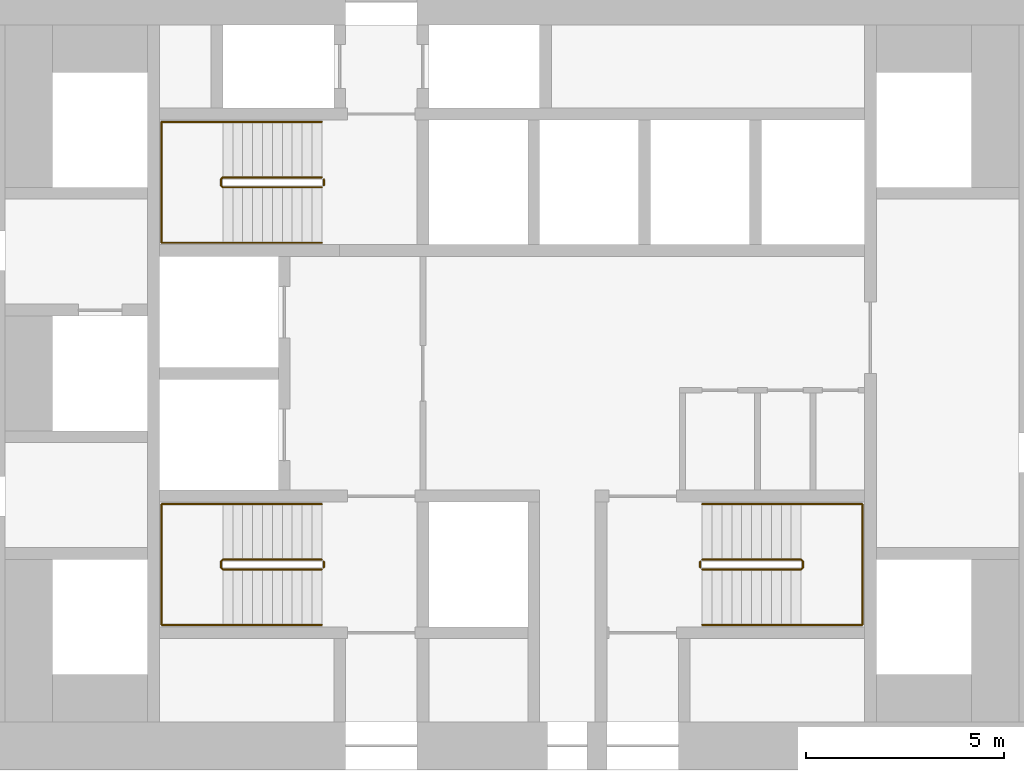
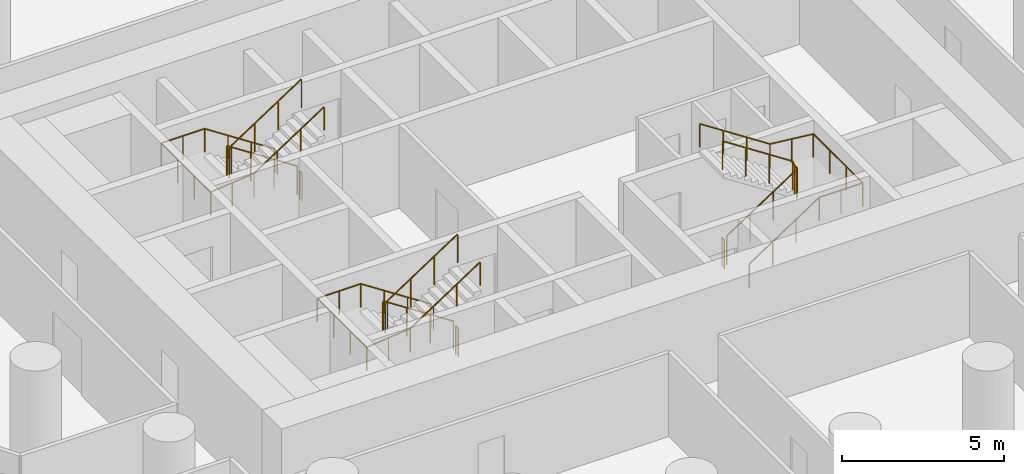
# One storey, part 12 of 12: 9 railings.
"""IFC4 building model written with IfcOpenShell, lengths in metres."""

from ifc_helpers import new_model, si_unit, direction, frame, origin, origin_2d, place, context, subcontext, project, spatial, circle, extrude, material, type_object, element, save


model = new_model("IFC4")

# Units and contexts
model_context = context("Model", 3, precision=1e-05, world=origin(), true_north=direction((0.0, 1.0)))
body_context = subcontext(model_context, "Body", "Model", "MODEL_VIEW")
ifc_project = project(units=[si_unit("LENGTHUNIT", "METRE"), si_unit("AREAUNIT", "SQUARE_METRE"), si_unit("VOLUMEUNIT", "CUBIC_METRE"), si_unit("PLANEANGLEUNIT", "RADIAN"), si_unit("MASSUNIT", "GRAM", prefix="KILO")], contexts=[model_context])

# Site, building, storey
site_placement = place(None, origin())
site = spatial("IfcSite", under=ifc_project, at=site_placement, CompositionType="ELEMENT")
building_placement = place(site_placement, origin())
building = spatial("IfcBuilding", under=site, at=building_placement, Name="Tracery Tower", CompositionType="ELEMENT")
storey_placement = place(building_placement, frame((0.0, 0.0, 57.0)))
storey = spatial("IfcBuildingStorey", under=building, at=storey_placement, Name="L13", CompositionType="ELEMENT", Elevation=57.0)

# Railings
ifc_material_1 = material(Name="Stainless steel and laminated glass", Category="steel")
railing_type_1 = type_object("IfcRailingType", Name="Stair guard 1100", PredefinedType="GUARDRAIL", material=ifc_material_1)
railing_1_placement = place(storey_placement, frame((-4.800048828125, -4.699951171875, 0.16357421875)))
element("IfcRailing", 1, at=railing_1_placement, inside=storey, type_object=railing_type_1, Name="L13 stair ST1 guard 1", PredefinedType="GUARDRAIL", context=body_context, shape_type="SweptSolid", body=[
    extrude(circle(Radius=0.02392578125, at=origin_2d()), frame((0.0, 0.0, 1.076171875), z_axis=(-0.83668449804, 0.0, 0.54768517484), x_axis=(0.0, -1.0, 0.0)), (0.0, 0.0, 1.0), 2.988037109375),
    extrude(circle(Radius=0.02392578125, at=origin_2d()), frame((-2.5, 0.0, 2.71240234375), z_axis=(-0.707106781187, -0.707106781187, 0.0), x_axis=(0.707106781187, -0.707106781187, 0.0)), (0.0, 0.0, 1.0), 0.07080078125),
    extrude(circle(Radius=0.02392578125, at=origin_2d()), frame((-2.550048828125, -0.050048828125, 2.71240234375), z_axis=(0.0, -1.0, 0.0), x_axis=(1.0, 0.0, 0.0)), (0.0, 0.0, 1.0), 0.14990234375),
    extrude(circle(Radius=0.02392578125, at=origin_2d()), frame((-2.550048828125, -0.199951171875, 2.71240234375), z_axis=(0.280808744504, -0.280808744504, 0.917765164963), x_axis=(0.707106781187, 0.707106781187, 0.0)), (0.0, 0.0, 1.0), 0.17822265625),
    extrude(circle(Radius=0.02392578125, at=origin_2d()), frame((-2.5, -0.25, 2.8759765625), z_axis=(0.83668449804, 0.0, 0.54768517484), x_axis=(0.0, 1.0, 0.0)), (0.0, 0.0, 1.0), 2.988037109375),
    extrude(circle(Radius=0.02099609375, at=origin_2d()), origin(), (0.0, 0.0, 1.0), 1.052001953125),
    extrude(circle(Radius=0.02099609375, at=origin_2d()), frame((-0.833251953125, 0.0, 0.54541015625)), (0.0, 0.0, 1.0), 1.052001953125),
    extrude(circle(Radius=0.02099609375, at=origin_2d()), frame((-1.666748046875, 0.0, 1.091064453125)), (0.0, 0.0, 1.0), 1.052001953125),
    extrude(circle(Radius=0.02099609375, at=origin_2d()), frame((-2.5, 0.0, 1.636474609375)), (0.0, 0.0, 1.0), 1.052001953125),
    extrude(circle(Radius=0.02099609375, at=origin_2d()), frame((-2.550048828125, -0.050048828125, 1.636474609375)), (0.0, 0.0, 1.0), 1.052001953125),
    extrude(circle(Radius=0.02099609375, at=origin_2d()), frame((-2.550048828125, -0.199951171875, 1.636474609375)), (0.0, 0.0, 1.0), 1.052001953125),
    extrude(circle(Radius=0.02099609375, at=origin_2d()), frame((-2.5, -0.25, 1.800048828125)), (0.0, 0.0, 1.0), 1.052001953125),
    extrude(circle(Radius=0.02099609375, at=origin_2d()), frame((-1.666748046875, -0.25, 2.345458984375)), (0.0, 0.0, 1.0), 1.052001953125),
    extrude(circle(Radius=0.02099609375, at=origin_2d()), frame((-0.833251953125, -0.25, 2.89111328125)), (0.0, 0.0, 1.0), 1.052001953125),
    extrude(circle(Radius=0.02099609375, at=origin_2d()), frame((0.0, -0.25, 3.4365234375)), (0.0, 0.0, 1.0), 1.052001953125),
])
railing_2_placement = place(storey_placement, frame((-4.75, -4.75, 0.0)))
element("IfcRailing", 2, at=railing_2_placement, inside=storey, type_object=railing_type_1, Name="L13 stair ST1 guard 2", PredefinedType="GUARDRAIL", context=body_context, shape_type="SweptSolid", body=[
    extrude(circle(Radius=0.02392578125, at=origin_2d()), frame((0.0, 0.0, 1.076171875), z_axis=(0.0, -1.0, 0.0), x_axis=(1.0, 0.0, 0.0)), (0.0, 0.0, 1.0), 0.14990234375),
    extrude(circle(Radius=0.02099609375, at=origin_2d()), origin(), (0.0, 0.0, 1.0), 1.052001953125),
    extrude(circle(Radius=0.02099609375, at=origin_2d()), frame((0.0, -0.14990234375, 0.0)), (0.0, 0.0, 1.0), 1.052001953125),
])
railing_3_placement = place(storey_placement, frame((-4.800048828125, 4.949951171875, 0.16357421875)))
element("IfcRailing", 3, at=railing_3_placement, inside=storey, type_object=railing_type_1, Name="L13 stair ST3 guard 1", PredefinedType="GUARDRAIL", context=body_context, shape_type="SweptSolid", body=[
    extrude(circle(Radius=0.02392578125, at=origin_2d()), frame((0.0, 0.0, 1.076171875), z_axis=(-0.83668449804, 0.0, 0.54768517484), x_axis=(0.0, -1.0, 0.0)), (0.0, 0.0, 1.0), 2.988037109375),
    extrude(circle(Radius=0.02392578125, at=origin_2d()), frame((-2.5, 0.0, 2.71240234375), z_axis=(-0.707106781187, -0.707106781187, 0.0), x_axis=(0.707106781187, -0.707106781187, 0.0)), (0.0, 0.0, 1.0), 0.07080078125),
    extrude(circle(Radius=0.02392578125, at=origin_2d()), frame((-2.550048828125, -0.050048828125, 2.71240234375), z_axis=(0.0, -1.0, 0.0), x_axis=(1.0, 0.0, 0.0)), (0.0, 0.0, 1.0), 0.14990234375),
    extrude(circle(Radius=0.02392578125, at=origin_2d()), frame((-2.550048828125, -0.199951171875, 2.71240234375), z_axis=(0.280808744504, -0.280808744504, 0.917765164963), x_axis=(0.707106781187, 0.707106781187, 0.0)), (0.0, 0.0, 1.0), 0.17822265625),
    extrude(circle(Radius=0.02392578125, at=origin_2d()), frame((-2.5, -0.25, 2.8759765625), z_axis=(0.83668449804, 0.0, 0.54768517484), x_axis=(0.0, 1.0, 0.0)), (0.0, 0.0, 1.0), 2.988037109375),
    extrude(circle(Radius=0.02099609375, at=origin_2d()), origin(), (0.0, 0.0, 1.0), 1.052001953125),
    extrude(circle(Radius=0.02099609375, at=origin_2d()), frame((-0.833251953125, 0.0, 0.54541015625)), (0.0, 0.0, 1.0), 1.052001953125),
    extrude(circle(Radius=0.02099609375, at=origin_2d()), frame((-1.666748046875, 0.0, 1.091064453125)), (0.0, 0.0, 1.0), 1.052001953125),
    extrude(circle(Radius=0.02099609375, at=origin_2d()), frame((-2.5, 0.0, 1.636474609375)), (0.0, 0.0, 1.0), 1.052001953125),
    extrude(circle(Radius=0.02099609375, at=origin_2d()), frame((-2.550048828125, -0.050048828125, 1.636474609375)), (0.0, 0.0, 1.0), 1.052001953125),
    extrude(circle(Radius=0.02099609375, at=origin_2d()), frame((-2.550048828125, -0.199951171875, 1.636474609375)), (0.0, 0.0, 1.0), 1.052001953125),
    extrude(circle(Radius=0.02099609375, at=origin_2d()), frame((-2.5, -0.25, 1.800048828125)), (0.0, 0.0, 1.0), 1.052001953125),
    extrude(circle(Radius=0.02099609375, at=origin_2d()), frame((-1.666748046875, -0.25, 2.345458984375)), (0.0, 0.0, 1.0), 1.052001953125),
    extrude(circle(Radius=0.02099609375, at=origin_2d()), frame((-0.833251953125, -0.25, 2.89111328125)), (0.0, 0.0, 1.0), 1.052001953125),
    extrude(circle(Radius=0.02099609375, at=origin_2d()), frame((0.0, -0.25, 3.4365234375)), (0.0, 0.0, 1.0), 1.052001953125),
])
railing_4_placement = place(storey_placement, frame((-4.75, 4.89990234375, 0.0)))
element("IfcRailing", 4, at=railing_4_placement, inside=storey, type_object=railing_type_1, Name="L13 stair ST3 guard 2", PredefinedType="GUARDRAIL", context=body_context, shape_type="SweptSolid", body=[
    extrude(circle(Radius=0.02392578125, at=origin_2d()), frame((0.0, 0.0, 1.076171875), z_axis=(0.0, -1.0, 0.0), x_axis=(1.0, 0.0, 0.0)), (0.0, 0.0, 1.0), 0.14990234375),
    extrude(circle(Radius=0.02099609375, at=origin_2d()), origin(), (0.0, 0.0, 1.0), 1.052001953125),
    extrude(circle(Radius=0.02099609375, at=origin_2d()), frame((0.0, -0.14990234375, 0.0)), (0.0, 0.0, 1.0), 1.052001953125),
])
railing_5_placement = place(storey_placement, frame((4.800048828125, -4.949951171875, 0.16357421875)))
element("IfcRailing", 5, at=railing_5_placement, inside=storey, type_object=railing_type_1, Name="L13 stair ST2 guard 1", PredefinedType="GUARDRAIL", context=body_context, shape_type="SweptSolid", body=[
    extrude(circle(Radius=0.02392578125, at=origin_2d()), frame((0.0, 0.0, 1.076171875), z_axis=(0.83668449804, 0.0, 0.54768517484), x_axis=(0.0, 1.0, 0.0)), (0.0, 0.0, 1.0), 2.988037109375),
    extrude(circle(Radius=0.02392578125, at=origin_2d()), frame((2.5, 0.0, 2.71240234375), z_axis=(0.707106781187, 0.707106781187, 0.0), x_axis=(-0.707106781187, 0.707106781187, 0.0)), (0.0, 0.0, 1.0), 0.07080078125),
    extrude(circle(Radius=0.02392578125, at=origin_2d()), frame((2.550048828125, 0.050048828125, 2.71240234375), z_axis=(0.0, 1.0, 0.0), x_axis=(-1.0, 0.0, 0.0)), (0.0, 0.0, 1.0), 0.14990234375),
    extrude(circle(Radius=0.02392578125, at=origin_2d()), frame((2.550048828125, 0.199951171875, 2.71240234375), z_axis=(-0.280808744504, 0.280808744504, 0.917765164963), x_axis=(-0.707106781187, -0.707106781187, 0.0)), (0.0, 0.0, 1.0), 0.17822265625),
    extrude(circle(Radius=0.02392578125, at=origin_2d()), frame((2.5, 0.25, 2.8759765625), z_axis=(-0.83668449804, 0.0, 0.54768517484), x_axis=(0.0, -1.0, 0.0)), (0.0, 0.0, 1.0), 2.988037109375),
    extrude(circle(Radius=0.02099609375, at=origin_2d()), origin(), (0.0, 0.0, 1.0), 1.052001953125),
    extrude(circle(Radius=0.02099609375, at=origin_2d()), frame((0.833251953125, 0.0, 0.54541015625)), (0.0, 0.0, 1.0), 1.052001953125),
    extrude(circle(Radius=0.02099609375, at=origin_2d()), frame((1.666748046875, 0.0, 1.091064453125)), (0.0, 0.0, 1.0), 1.052001953125),
    extrude(circle(Radius=0.02099609375, at=origin_2d()), frame((2.5, 0.0, 1.636474609375)), (0.0, 0.0, 1.0), 1.052001953125),
    extrude(circle(Radius=0.02099609375, at=origin_2d()), frame((2.550048828125, 0.050048828125, 1.636474609375)), (0.0, 0.0, 1.0), 1.052001953125),
    extrude(circle(Radius=0.02099609375, at=origin_2d()), frame((2.550048828125, 0.199951171875, 1.636474609375)), (0.0, 0.0, 1.0), 1.052001953125),
    extrude(circle(Radius=0.02099609375, at=origin_2d()), frame((2.5, 0.25, 1.800048828125)), (0.0, 0.0, 1.0), 1.052001953125),
    extrude(circle(Radius=0.02099609375, at=origin_2d()), frame((1.666748046875, 0.25, 2.345458984375)), (0.0, 0.0, 1.0), 1.052001953125),
    extrude(circle(Radius=0.02099609375, at=origin_2d()), frame((0.833251953125, 0.25, 2.89111328125)), (0.0, 0.0, 1.0), 1.052001953125),
    extrude(circle(Radius=0.02099609375, at=origin_2d()), frame((0.0, 0.25, 3.4365234375)), (0.0, 0.0, 1.0), 1.052001953125),
])
railing_6_placement = place(storey_placement, frame((4.75, -4.89990234375, 0.0)))
element("IfcRailing", 6, at=railing_6_placement, inside=storey, type_object=railing_type_1, Name="L13 stair ST2 guard 2", PredefinedType="GUARDRAIL", context=body_context, shape_type="SweptSolid", body=[
    extrude(circle(Radius=0.02392578125, at=origin_2d()), frame((0.0, 0.0, 1.076171875), z_axis=(0.0, 1.0, 0.0), x_axis=(-1.0, 0.0, 0.0)), (0.0, 0.0, 1.0), 0.14990234375),
    extrude(circle(Radius=0.02099609375, at=origin_2d()), origin(), (0.0, 0.0, 1.0), 1.052001953125),
    extrude(circle(Radius=0.02099609375, at=origin_2d()), frame((0.0, 0.14990234375, 0.0)), (0.0, 0.0, 1.0), 1.052001953125),
])
ifc_material_2 = material(Name="Stainless steel and laminated glass", Category="steel")
railing_type_2 = type_object("IfcRailingType", Name="Stair handrail 900", PredefinedType="HANDRAIL", material=ifc_material_2)
railing_7_placement = place(storey_placement, frame((-4.800048828125, -3.300048828125, 0.16357421875)))
element("IfcRailing", 7, at=railing_7_placement, inside=storey, type_object=railing_type_2, Name="L13 stair ST1 handrail 1", PredefinedType="HANDRAIL", context=body_context, shape_type="SweptSolid", body=[
    extrude(circle(Radius=0.02392578125, at=origin_2d()), frame((0.0, 0.0, 0.8759765625), z_axis=(-0.83668449804, 0.0, 0.54768517484), x_axis=(0.0, -1.0, 0.0)), (0.0, 0.0, 1.0), 2.988037109375),
    extrude(circle(Radius=0.02392578125, at=origin_2d()), frame((-2.5, 0.0, 2.51220703125), z_axis=(-1.0, 0.0, 0.0), x_axis=(0.0, -1.0, 0.0)), (0.0, 0.0, 1.0), 1.550048828125),
    extrude(circle(Radius=0.02392578125, at=origin_2d()), frame((-4.050048828125, 0.0, 2.51220703125), z_axis=(0.0, -1.0, 0.0), x_axis=(1.0, 0.0, 0.0)), (0.0, 0.0, 1.0), 3.050048828125),
    extrude(circle(Radius=0.02392578125, at=origin_2d()), frame((-4.050048828125, -3.050048828125, 2.51220703125), z_axis=(0.994477953863, 0.0, 0.104945696817), x_axis=(0.0, 1.0, 0.0)), (0.0, 0.0, 1.0), 1.55859375),
    extrude(circle(Radius=0.02392578125, at=origin_2d()), frame((-2.5, -3.050048828125, 2.67578125), z_axis=(0.83668449804, 0.0, 0.54768517484), x_axis=(0.0, 1.0, 0.0)), (0.0, 0.0, 1.0), 2.988037109375),
    extrude(circle(Radius=0.02099609375, at=origin_2d()), origin(), (0.0, 0.0, 1.0), 0.851806640625),
    extrude(circle(Radius=0.02099609375, at=origin_2d()), frame((-0.833251953125, 0.0, 0.54541015625)), (0.0, 0.0, 1.0), 0.851806640625),
    extrude(circle(Radius=0.02099609375, at=origin_2d()), frame((-1.666748046875, 0.0, 1.091064453125)), (0.0, 0.0, 1.0), 0.851806640625),
    extrude(circle(Radius=0.02099609375, at=origin_2d()), frame((-2.5, 0.0, 1.636474609375)), (0.0, 0.0, 1.0), 0.851806640625),
    extrude(circle(Radius=0.02099609375, at=origin_2d()), frame((-3.27490234375, 0.0, 1.636474609375)), (0.0, 0.0, 1.0), 0.851806640625),
    extrude(circle(Radius=0.02099609375, at=origin_2d()), frame((-4.050048828125, 0.0, 1.636474609375)), (0.0, 0.0, 1.0), 0.851806640625),
    extrude(circle(Radius=0.02099609375, at=origin_2d()), frame((-4.050048828125, -1.0166015625, 1.636474609375)), (0.0, 0.0, 1.0), 0.851806640625),
    extrude(circle(Radius=0.02099609375, at=origin_2d()), frame((-4.050048828125, -2.033447265625, 1.636474609375)), (0.0, 0.0, 1.0), 0.851806640625),
    extrude(circle(Radius=0.02099609375, at=origin_2d()), frame((-4.050048828125, -3.050048828125, 1.636474609375)), (0.0, 0.0, 1.0), 0.851806640625),
    extrude(circle(Radius=0.02099609375, at=origin_2d()), frame((-3.27490234375, -3.050048828125, 1.71826171875)), (0.0, 0.0, 1.0), 0.851806640625),
    extrude(circle(Radius=0.02099609375, at=origin_2d()), frame((-2.5, -3.050048828125, 1.800048828125)), (0.0, 0.0, 1.0), 0.851806640625),
    extrude(circle(Radius=0.02099609375, at=origin_2d()), frame((-1.666748046875, -3.050048828125, 2.345458984375)), (0.0, 0.0, 1.0), 0.851806640625),
    extrude(circle(Radius=0.02099609375, at=origin_2d()), frame((-0.833251953125, -3.050048828125, 2.89111328125)), (0.0, 0.0, 1.0), 0.851806640625),
    extrude(circle(Radius=0.02099609375, at=origin_2d()), frame((0.0, -3.050048828125, 3.4365234375)), (0.0, 0.0, 1.0), 0.851806640625),
])
railing_8_placement = place(storey_placement, frame((-4.800048828125, 6.35009765625, 0.16357421875)))
element("IfcRailing", 8, at=railing_8_placement, inside=storey, type_object=railing_type_2, Name="L13 stair ST3 handrail 1", PredefinedType="HANDRAIL", context=body_context, shape_type="SweptSolid", body=[
    extrude(circle(Radius=0.02392578125, at=origin_2d()), frame((0.0, 0.0, 0.8759765625), z_axis=(-0.83668449804, 0.0, 0.54768517484), x_axis=(0.0, -1.0, 0.0)), (0.0, 0.0, 1.0), 2.988037109375),
    extrude(circle(Radius=0.02392578125, at=origin_2d()), frame((-2.5, 0.0, 2.51220703125), z_axis=(-1.0, 0.0, 0.0), x_axis=(0.0, -1.0, 0.0)), (0.0, 0.0, 1.0), 1.550048828125),
    extrude(circle(Radius=0.02392578125, at=origin_2d()), frame((-4.050048828125, 0.0, 2.51220703125), z_axis=(0.0, -1.0, 0.0), x_axis=(1.0, 0.0, 0.0)), (0.0, 0.0, 1.0), 3.050048828125),
    extrude(circle(Radius=0.02392578125, at=origin_2d()), frame((-4.050048828125, -3.050048828125, 2.51220703125), z_axis=(0.994477953863, 0.0, 0.104945696817), x_axis=(0.0, 1.0, 0.0)), (0.0, 0.0, 1.0), 1.55859375),
    extrude(circle(Radius=0.02392578125, at=origin_2d()), frame((-2.5, -3.050048828125, 2.67578125), z_axis=(0.83668449804, 0.0, 0.54768517484), x_axis=(0.0, 1.0, 0.0)), (0.0, 0.0, 1.0), 2.988037109375),
    extrude(circle(Radius=0.02099609375, at=origin_2d()), origin(), (0.0, 0.0, 1.0), 0.851806640625),
    extrude(circle(Radius=0.02099609375, at=origin_2d()), frame((-0.833251953125, 0.0, 0.54541015625)), (0.0, 0.0, 1.0), 0.851806640625),
    extrude(circle(Radius=0.02099609375, at=origin_2d()), frame((-1.666748046875, 0.0, 1.091064453125)), (0.0, 0.0, 1.0), 0.851806640625),
    extrude(circle(Radius=0.02099609375, at=origin_2d()), frame((-2.5, 0.0, 1.636474609375)), (0.0, 0.0, 1.0), 0.851806640625),
    extrude(circle(Radius=0.02099609375, at=origin_2d()), frame((-3.27490234375, 0.0, 1.636474609375)), (0.0, 0.0, 1.0), 0.851806640625),
    extrude(circle(Radius=0.02099609375, at=origin_2d()), frame((-4.050048828125, 0.0, 1.636474609375)), (0.0, 0.0, 1.0), 0.851806640625),
    extrude(circle(Radius=0.02099609375, at=origin_2d()), frame((-4.050048828125, -1.0166015625, 1.636474609375)), (0.0, 0.0, 1.0), 0.851806640625),
    extrude(circle(Radius=0.02099609375, at=origin_2d()), frame((-4.050048828125, -2.033447265625, 1.636474609375)), (0.0, 0.0, 1.0), 0.851806640625),
    extrude(circle(Radius=0.02099609375, at=origin_2d()), frame((-4.050048828125, -3.050048828125, 1.636474609375)), (0.0, 0.0, 1.0), 0.851806640625),
    extrude(circle(Radius=0.02099609375, at=origin_2d()), frame((-3.27490234375, -3.050048828125, 1.71826171875)), (0.0, 0.0, 1.0), 0.851806640625),
    extrude(circle(Radius=0.02099609375, at=origin_2d()), frame((-2.5, -3.050048828125, 1.800048828125)), (0.0, 0.0, 1.0), 0.851806640625),
    extrude(circle(Radius=0.02099609375, at=origin_2d()), frame((-1.666748046875, -3.050048828125, 2.345458984375)), (0.0, 0.0, 1.0), 0.851806640625),
    extrude(circle(Radius=0.02099609375, at=origin_2d()), frame((-0.833251953125, -3.050048828125, 2.89111328125)), (0.0, 0.0, 1.0), 0.851806640625),
    extrude(circle(Radius=0.02099609375, at=origin_2d()), frame((0.0, -3.050048828125, 3.4365234375)), (0.0, 0.0, 1.0), 0.851806640625),
])
railing_9_placement = place(storey_placement, frame((4.800048828125, -6.35009765625, 0.16357421875)))
element("IfcRailing", 9, at=railing_9_placement, inside=storey, type_object=railing_type_2, Name="L13 stair ST2 handrail 1", PredefinedType="HANDRAIL", context=body_context, shape_type="SweptSolid", body=[
    extrude(circle(Radius=0.02392578125, at=origin_2d()), frame((0.0, 0.0, 0.8759765625), z_axis=(0.83668449804, 0.0, 0.54768517484), x_axis=(0.0, 1.0, 0.0)), (0.0, 0.0, 1.0), 2.988037109375),
    extrude(circle(Radius=0.02392578125, at=origin_2d()), frame((2.5, 0.0, 2.51220703125), z_axis=(1.0, 0.0, 0.0), x_axis=(0.0, 1.0, 0.0)), (0.0, 0.0, 1.0), 1.550048828125),
    extrude(circle(Radius=0.02392578125, at=origin_2d()), frame((4.050048828125, 0.0, 2.51220703125), z_axis=(0.0, 1.0, 0.0), x_axis=(-1.0, 0.0, 0.0)), (0.0, 0.0, 1.0), 3.050048828125),
    extrude(circle(Radius=0.02392578125, at=origin_2d()), frame((4.050048828125, 3.050048828125, 2.51220703125), z_axis=(-0.994477953863, 0.0, 0.104945696817), x_axis=(0.0, -1.0, 0.0)), (0.0, 0.0, 1.0), 1.55859375),
    extrude(circle(Radius=0.02392578125, at=origin_2d()), frame((2.5, 3.050048828125, 2.67578125), z_axis=(-0.83668449804, 0.0, 0.54768517484), x_axis=(0.0, -1.0, 0.0)), (0.0, 0.0, 1.0), 2.988037109375),
    extrude(circle(Radius=0.02099609375, at=origin_2d()), origin(), (0.0, 0.0, 1.0), 0.851806640625),
    extrude(circle(Radius=0.02099609375, at=origin_2d()), frame((0.833251953125, 0.0, 0.54541015625)), (0.0, 0.0, 1.0), 0.851806640625),
    extrude(circle(Radius=0.02099609375, at=origin_2d()), frame((1.666748046875, 0.0, 1.091064453125)), (0.0, 0.0, 1.0), 0.851806640625),
    extrude(circle(Radius=0.02099609375, at=origin_2d()), frame((2.5, 0.0, 1.636474609375)), (0.0, 0.0, 1.0), 0.851806640625),
    extrude(circle(Radius=0.02099609375, at=origin_2d()), frame((3.27490234375, 0.0, 1.636474609375)), (0.0, 0.0, 1.0), 0.851806640625),
    extrude(circle(Radius=0.02099609375, at=origin_2d()), frame((4.050048828125, 0.0, 1.636474609375)), (0.0, 0.0, 1.0), 0.851806640625),
    extrude(circle(Radius=0.02099609375, at=origin_2d()), frame((4.050048828125, 1.0166015625, 1.636474609375)), (0.0, 0.0, 1.0), 0.851806640625),
    extrude(circle(Radius=0.02099609375, at=origin_2d()), frame((4.050048828125, 2.033447265625, 1.636474609375)), (0.0, 0.0, 1.0), 0.851806640625),
    extrude(circle(Radius=0.02099609375, at=origin_2d()), frame((4.050048828125, 3.050048828125, 1.636474609375)), (0.0, 0.0, 1.0), 0.851806640625),
    extrude(circle(Radius=0.02099609375, at=origin_2d()), frame((3.27490234375, 3.050048828125, 1.71826171875)), (0.0, 0.0, 1.0), 0.851806640625),
    extrude(circle(Radius=0.02099609375, at=origin_2d()), frame((2.5, 3.050048828125, 1.800048828125)), (0.0, 0.0, 1.0), 0.851806640625),
    extrude(circle(Radius=0.02099609375, at=origin_2d()), frame((1.666748046875, 3.050048828125, 2.345458984375)), (0.0, 0.0, 1.0), 0.851806640625),
    extrude(circle(Radius=0.02099609375, at=origin_2d()), frame((0.833251953125, 3.050048828125, 2.89111328125)), (0.0, 0.0, 1.0), 0.851806640625),
    extrude(circle(Radius=0.02099609375, at=origin_2d()), frame((0.0, 3.050048828125, 3.4365234375)), (0.0, 0.0, 1.0), 0.851806640625),
])

save(model, "model.ifc")
